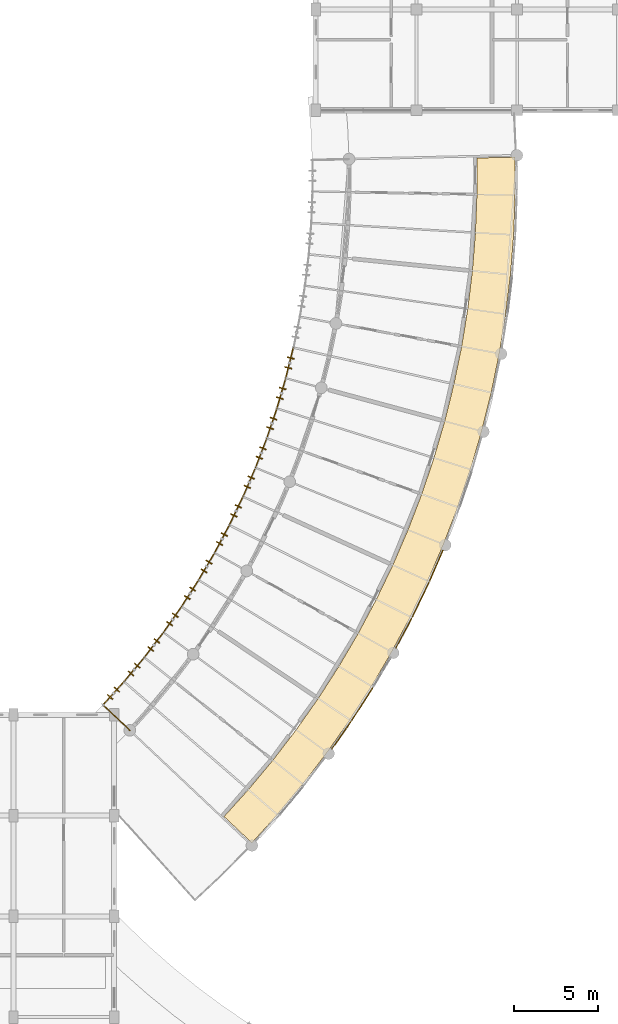
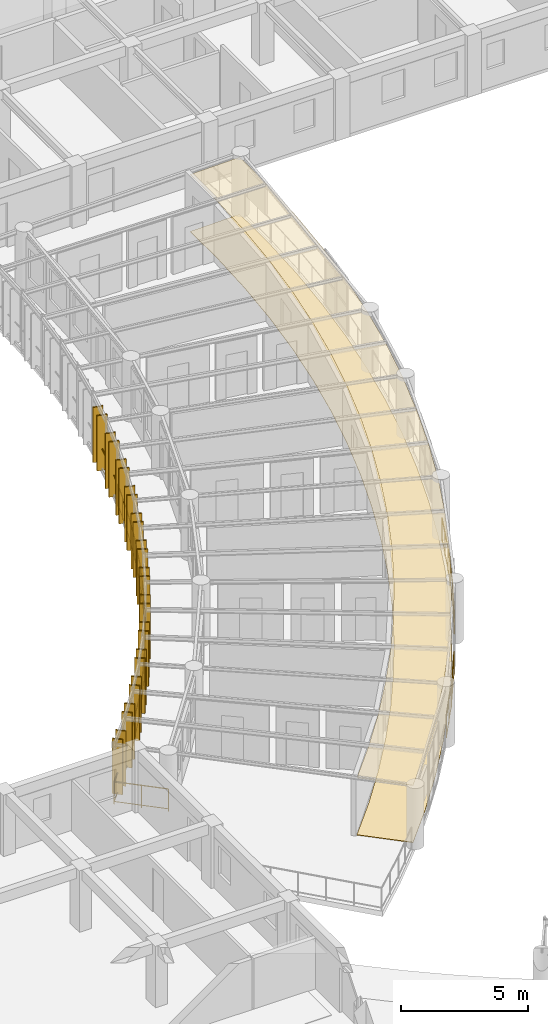
# One storey, part 90 of 100: 26 shading devices, 19 railings, 2 coverings.
"""IFC4 building model written with IfcOpenShell, lengths in metres."""

from ifc_helpers import new_model, si_unit, direction, frame, origin, origin_2d, place, context, subcontext, project, spatial, polyline, rectangle, circle, outline, extrude, material, layer, layer_set, type_object, element, save


model = new_model("IFC4")

# Units and contexts
model_context = context("Model", 3, precision=1e-05, world=origin(), true_north=direction((0.0, 1.0)))
body_context = subcontext(model_context, "Body", "Model", "MODEL_VIEW")
ifc_project = project(units=[si_unit("LENGTHUNIT", "METRE"), si_unit("AREAUNIT", "SQUARE_METRE"), si_unit("VOLUMEUNIT", "CUBIC_METRE"), si_unit("PLANEANGLEUNIT", "RADIAN"), si_unit("MASSUNIT", "GRAM", prefix="KILO"), si_unit("POWERUNIT", "WATT"), si_unit("THERMODYNAMICTEMPERATUREUNIT", "KELVIN")], contexts=[model_context])

# Site, building, storey
site_placement = place(None, origin())
site = spatial("IfcSite", under=ifc_project, at=site_placement, CompositionType="ELEMENT")
building_placement = place(site_placement, origin())
building = spatial("IfcBuilding", under=site, at=building_placement, Name="Ruvembo Vaulted Housing Court", CompositionType="ELEMENT")
storey_placement = place(building_placement, frame((0.0, 0.0, 10.89990234375)))
storey = spatial("IfcBuildingStorey", under=building, at=storey_placement, Name="L03", CompositionType="ELEMENT", Elevation=10.89990234375)

# Coverings
ifc_material_1 = material(Name="Perforated Mineral-Fibre Acoustic Tile", Category="gypsum")
ifc_layer_1 = layer(ifc_material_1, 0.02001953125, Name="Perforated Mineral-Fibre Acoustic Tile")
ifc_layer_set_1 = layer_set([ifc_layer_1], Name="Perforated Mineral-Fibre Acoustic Tile")
covering_type_1 = type_object("IfcCoveringType", Name="COV-CEIL-ACOUST", PredefinedType="CEILING", material=ifc_layer_set_1)
covering_1_placement = place(storey_placement, frame((0.0, 0.0, 2.75)))
element("IfcCovering", 1, at=covering_1_placement, inside=storey, type_object=covering_type_1, Name="Scoop SC1 L03 Shaded Access Gallery Ceiling", PredefinedType="CEILING", context=body_context, shape_type="SweptSolid", body=[
    extrude(outline(polyline([(44.201416015625, 34.37646484375), (45.718994140625, 36.053955078125), (47.23681640625, 37.876708984375), (48.6787109375, 39.76025390625), (50.0419921875, 41.701171875), (51.324951171875, 43.6962890625), (52.52490234375, 45.742431640625), (53.64013671875, 47.8359375), (54.66845703125, 49.973388671875), (55.608642578125, 52.151123046875), (56.45849609375, 54.36572265625), (57.21728515625, 56.613037109375), (57.88330078125, 58.8896484375), (58.455322265625, 61.191650390625), (58.9326171875, 63.51513671875), (59.314208984375, 65.856201171875), (59.599853515625, 68.2109375), (59.78857421875, 70.575439453125), (59.88037109375, 72.94580078125), (59.875244140625, 75.207763671875), (57.595703125, 75.156005859375), (57.600830078125, 72.989501953125), (57.6005859375, 72.985107421875), (57.5126953125, 70.712646484375), (57.512451171875, 70.7080078125), (57.33154296875, 68.441162109375), (57.3310546875, 68.436767578125), (57.057373046875, 66.17919921875), (57.056640625, 66.1748046875), (56.690673828125, 63.930419921875), (56.68994140625, 63.926025390625), (56.232421875, 61.698486328125), (56.231201171875, 61.694091796875), (55.682861328125, 59.487060546875), (55.681640625, 59.482666015625), (55.043212890625, 57.300048828125), (55.041748046875, 57.2958984375), (54.314453125, 55.14111328125), (54.31298828125, 55.136962890625), (53.498046875, 53.013916015625), (53.496337890625, 53.009521484375), (52.59521484375, 50.921875), (52.59326171875, 50.917724609375), (51.607177734375, 48.868408203125), (51.605224609375, 48.864501953125), (50.535888671875, 46.857421875), (50.53369140625, 46.853515625), (49.38330078125, 44.891845703125), (49.381103515625, 44.887939453125), (48.151123046875, 42.97509765625), (48.148681640625, 42.971435546875), (46.841552734375, 41.110595703125), (46.8388671875, 41.10693359375), (45.456298828125, 39.30126953125), (45.45361328125, 39.297607421875), (43.99853515625, 37.550048828125), (43.99560546875, 37.546630859375), (42.54248046875, 35.940185546875), (44.201416015625, 34.37646484375)])), origin(), (0.0, 0.0, 1.0), 0.02001953125),
])
ifc_material_2 = material(Name="Polished Cement-Aggregate Terrazzo", Category="stone")
ifc_layer_2 = layer(ifc_material_2, 0.02197265625, Name="Polished Cement-Aggregate Terrazzo")
ifc_layer_set_2 = layer_set([ifc_layer_2], Name="Polished Cement-Aggregate Terrazzo")
covering_type_2 = type_object("IfcCoveringType", Name="COV-FLR-CERAMIC", PredefinedType="FLOORING", material=ifc_layer_set_2)
covering_2_placement = place(storey_placement, origin())
element("IfcCovering", 2, at=covering_2_placement, inside=storey, type_object=covering_type_2, Name="Scoop SC1 L03 Shaded Access Gallery Flooring", PredefinedType="FLOORING", context=body_context, shape_type="SweptSolid", body=[
    extrude(outline(polyline([(44.201416015625, 34.37646484375), (45.718994140625, 36.053955078125), (47.23681640625, 37.876708984375), (48.6787109375, 39.76025390625), (50.0419921875, 41.701171875), (51.324951171875, 43.6962890625), (52.52490234375, 45.742431640625), (53.64013671875, 47.8359375), (54.66845703125, 49.973388671875), (55.608642578125, 52.151123046875), (56.45849609375, 54.36572265625), (57.21728515625, 56.613037109375), (57.88330078125, 58.8896484375), (58.455322265625, 61.191650390625), (58.9326171875, 63.51513671875), (59.314208984375, 65.856201171875), (59.599853515625, 68.2109375), (59.78857421875, 70.575439453125), (59.88037109375, 72.94580078125), (59.875244140625, 75.207763671875), (57.595703125, 75.156005859375), (57.600830078125, 72.989501953125), (57.6005859375, 72.985107421875), (57.5126953125, 70.712646484375), (57.512451171875, 70.7080078125), (57.33154296875, 68.441162109375), (57.3310546875, 68.436767578125), (57.057373046875, 66.17919921875), (57.056640625, 66.1748046875), (56.690673828125, 63.930419921875), (56.68994140625, 63.926025390625), (56.232421875, 61.698486328125), (56.231201171875, 61.694091796875), (55.682861328125, 59.487060546875), (55.681640625, 59.482666015625), (55.043212890625, 57.300048828125), (55.041748046875, 57.2958984375), (54.314453125, 55.14111328125), (54.31298828125, 55.136962890625), (53.498046875, 53.013916015625), (53.496337890625, 53.009521484375), (52.59521484375, 50.921875), (52.59326171875, 50.917724609375), (51.607177734375, 48.868408203125), (51.605224609375, 48.864501953125), (50.535888671875, 46.857421875), (50.53369140625, 46.853515625), (49.38330078125, 44.891845703125), (49.381103515625, 44.887939453125), (48.151123046875, 42.97509765625), (48.148681640625, 42.971435546875), (46.841552734375, 41.110595703125), (46.8388671875, 41.10693359375), (45.456298828125, 39.30126953125), (45.45361328125, 39.297607421875), (43.99853515625, 37.550048828125), (43.99560546875, 37.546630859375), (42.54248046875, 35.940185546875), (44.201416015625, 34.37646484375)])), origin(), (0.0, 0.0, 1.0), 0.022216796875),
])

# Railings
ifc_material_3 = material(Name="Galvanised Painted Steel and Laminated Glass", Category="steel")
ifc_layer_3 = layer(ifc_material_3, 0.070068359375, Name="Galvanised Painted Steel and Laminated Glass")
ifc_layer_set_3 = layer_set([ifc_layer_3], Name="Galvanised Painted Steel and Laminated Glass")
railing_type_1 = type_object("IfcRailingType", Name="RL-BALUST-1120", PredefinedType="BALUSTRADE", material=ifc_layer_set_3)
railing_1_placement = place(storey_placement, frame((48.968505859375, 39.981689453125, 0.0)))
element("IfcRailing", 3, at=railing_1_placement, inside=storey, type_object=railing_type_1, Name="L03 Perimeter Guard RL-EXT-L03-0111", PredefinedType="BALUSTRADE", context=body_context, shape_type="SweptSolid", body=[
    extrude(circle(Radius=0.02392578125, at=origin_2d()), frame((0.0, 0.0, 1.09619140625), z_axis=(0.574804697317, 0.818290632931, 0.0), x_axis=(-0.818290632931, 0.574804697317, 0.0)), (0.0, 0.0, 1.0), 1.976318359375),
    extrude(circle(Radius=0.01806640625, at=origin_2d()), frame((0.0, 0.0, 0.1201171875), z_axis=(0.574804697317, 0.818290632931, 0.0), x_axis=(-0.818290632931, 0.574804697317, 0.0)), (0.0, 0.0, 1.0), 1.976318359375),
    extrude(circle(Radius=0.02099609375, at=origin_2d()), origin(), (0.0, 0.0, 1.0), 1.072021484375),
    extrude(circle(Radius=0.02099609375, at=origin_2d()), frame((0.56787109375, 0.80859375, 0.0)), (0.0, 0.0, 1.0), 1.072021484375),
    extrude(circle(Radius=0.02099609375, at=origin_2d()), frame((1.135986328125, 1.6171875, 0.0)), (0.0, 0.0, 1.0), 1.072021484375),
])
railing_2_placement = place(storey_placement, frame((50.160400390625, 41.681884765625, 0.0)))
element("IfcRailing", 4, at=railing_2_placement, inside=storey, type_object=railing_type_1, Name="L03 Perimeter Guard RL-EXT-L03-0112", PredefinedType="BALUSTRADE", context=body_context, shape_type="SweptSolid", body=[
    extrude(circle(Radius=0.02392578125, at=origin_2d()), frame((0.0, 0.0, 1.09619140625), z_axis=(0.540838894016, 0.8411262038, 0.0), x_axis=(-0.8411262038, 0.540838894016, 0.0)), (0.0, 0.0, 1.0), 2.2763671875),
    extrude(circle(Radius=0.01806640625, at=origin_2d()), frame((0.0, 0.0, 0.1201171875), z_axis=(0.540838894016, 0.8411262038, 0.0), x_axis=(-0.8411262038, 0.540838894016, 0.0)), (0.0, 0.0, 1.0), 2.2763671875),
    extrude(circle(Radius=0.02099609375, at=origin_2d()), origin(), (0.0, 0.0, 1.0), 1.072021484375),
    extrude(circle(Radius=0.02099609375, at=origin_2d()), frame((0.61572265625, 0.95751953125, 0.0)), (0.0, 0.0, 1.0), 1.072021484375),
    extrude(circle(Radius=0.02099609375, at=origin_2d()), frame((1.231201171875, 1.914794921875, 0.0)), (0.0, 0.0, 1.0), 1.072021484375),
])
railing_3_placement = place(storey_placement, frame((52.785400390625, 45.997802734375, 0.0)))
element("IfcRailing", 5, at=railing_3_placement, inside=storey, type_object=railing_type_1, Name="L03 Perimeter Guard RL-EXT-L03-0113", PredefinedType="BALUSTRADE", context=body_context, shape_type="SweptSolid", body=[
    extrude(circle(Radius=0.02392578125, at=origin_2d()), frame((0.0, 0.0, 1.09619140625), z_axis=(0.470139378087, 0.882592185084, 0.0), x_axis=(-0.882592185084, 0.470139378087, 0.0)), (0.0, 0.0, 1.0), 1.976318359375),
    extrude(circle(Radius=0.01806640625, at=origin_2d()), frame((0.0, 0.0, 0.1201171875), z_axis=(0.470139378087, 0.882592185084, 0.0), x_axis=(-0.882592185084, 0.470139378087, 0.0)), (0.0, 0.0, 1.0), 1.976318359375),
    extrude(circle(Radius=0.02099609375, at=origin_2d()), origin(), (0.0, 0.0, 1.0), 1.072021484375),
    extrude(circle(Radius=0.02099609375, at=origin_2d()), frame((0.464599609375, 0.8720703125, 0.0)), (0.0, 0.0, 1.0), 1.072021484375),
    extrude(circle(Radius=0.02099609375, at=origin_2d()), frame((0.92919921875, 1.744384765625, 0.0)), (0.0, 0.0, 1.0), 1.072021484375),
])
railing_4_placement = place(storey_placement, frame((53.760009765625, 47.831298828125, 0.0)))
element("IfcRailing", 6, at=railing_4_placement, inside=storey, type_object=railing_type_1, Name="L03 Perimeter Guard RL-EXT-L03-0114", PredefinedType="BALUSTRADE", context=body_context, shape_type="SweptSolid", body=[
    extrude(circle(Radius=0.02392578125, at=origin_2d()), frame((0.0, 0.0, 1.09619140625), z_axis=(0.433477019687, 0.90116462059, 0.0), x_axis=(-0.90116462059, 0.433477019687, 0.0)), (0.0, 0.0, 1.0), 2.276611328125),
    extrude(circle(Radius=0.01806640625, at=origin_2d()), frame((0.0, 0.0, 0.1201171875), z_axis=(0.433477019687, 0.90116462059, 0.0), x_axis=(-0.90116462059, 0.433477019687, 0.0)), (0.0, 0.0, 1.0), 2.276611328125),
    extrude(circle(Radius=0.02099609375, at=origin_2d()), origin(), (0.0, 0.0, 1.0), 1.072021484375),
    extrude(circle(Radius=0.02099609375, at=origin_2d()), frame((0.493408203125, 1.02587890625, 0.0)), (0.0, 0.0, 1.0), 1.072021484375),
    extrude(circle(Radius=0.02099609375, at=origin_2d()), frame((0.98681640625, 2.051513671875, 0.0)), (0.0, 0.0, 1.0), 1.072021484375),
])
railing_5_placement = place(storey_placement, frame((54.788330078125, 49.9736328125, 0.0)))
element("IfcRailing", 7, at=railing_5_placement, inside=storey, type_object=railing_type_1, Name="L03 Perimeter Guard RL-EXT-L03-0115", PredefinedType="BALUSTRADE", context=body_context, shape_type="SweptSolid", body=[
    extrude(circle(Radius=0.02392578125, at=origin_2d()), frame((0.0, 0.0, 1.09619140625), z_axis=(0.39636266904, 0.91809402274, 0.0), x_axis=(-0.91809402274, 0.39636266904, 0.0)), (0.0, 0.0, 1.0), 1.9765625),
    extrude(circle(Radius=0.01806640625, at=origin_2d()), frame((0.0, 0.0, 0.1201171875), z_axis=(0.39636266904, 0.91809402274, 0.0), x_axis=(-0.91809402274, 0.39636266904, 0.0)), (0.0, 0.0, 1.0), 1.9765625),
    extrude(circle(Radius=0.02099609375, at=origin_2d()), origin(), (0.0, 0.0, 1.0), 1.072021484375),
    extrude(circle(Radius=0.02099609375, at=origin_2d()), frame((0.3916015625, 0.9072265625, 0.0)), (0.0, 0.0, 1.0), 1.072021484375),
    extrude(circle(Radius=0.02099609375, at=origin_2d()), frame((0.783447265625, 1.814697265625, 0.0)), (0.0, 0.0, 1.0), 1.072021484375),
])
ifc_material_4 = material(Name="Galvanised Painted Steel S275", Category="steel")
ifc_layer_4 = layer(ifc_material_4, 0.06005859375, Name="Galvanised Painted Steel S275")
ifc_layer_set_4 = layer_set([ifc_layer_4], Name="Galvanised Painted Steel S275")
railing_type_2 = type_object("IfcRailingType", Name="RL-GUARD-1100", PredefinedType="GUARDRAIL", material=ifc_layer_set_4)
railing_6_placement = place(storey_placement, frame((36.9306640625, 41.078125, 0.0)))
element("IfcRailing", 8, at=railing_6_placement, inside=storey, type_object=railing_type_2, Name="L03 Perimeter Guard RL-EXT-L03-0088", PredefinedType="GUARDRAIL", context=body_context, shape_type="SweptSolid", body=[
    extrude(circle(Radius=0.02392578125, at=origin_2d()), frame((0.0, 0.0, 1.076171875), z_axis=(-0.727769798271, 0.685821493338, 0.0), x_axis=(-0.685821493338, -0.727769798271, 0.0)), (0.0, 0.0, 1.0), 2.199951171875),
    extrude(circle(Radius=0.01806640625, at=origin_2d()), frame((0.0, 0.0, 0.1201171875), z_axis=(-0.727769798271, 0.685821493338, 0.0), x_axis=(-0.685821493338, -0.727769798271, 0.0)), (0.0, 0.0, 1.0), 2.199951171875),
    extrude(circle(Radius=0.02099609375, at=origin_2d()), origin(), (0.0, 0.0, 1.0), 1.052001953125),
    extrude(circle(Radius=0.02099609375, at=origin_2d()), frame((-0.800537109375, 0.75439453125, 0.0)), (0.0, 0.0, 1.0), 1.052001953125),
    extrude(circle(Radius=0.02099609375, at=origin_2d()), frame((-1.60107421875, 1.5087890625, 0.0)), (0.0, 0.0, 1.0), 1.052001953125),
])
railing_7_placement = place(storey_placement, frame((35.32958984375, 42.5869140625, 0.0)))
element("IfcRailing", 9, at=railing_7_placement, inside=storey, type_object=railing_type_2, Name="L03 Perimeter Guard RL-EXT-L03-0089", PredefinedType="GUARDRAIL", context=body_context, shape_type="SweptSolid", body=[
    extrude(circle(Radius=0.02392578125, at=origin_2d()), frame((0.0, 0.0, 1.076171875), z_axis=(0.670766832997, 0.741668292265, 0.0), x_axis=(-0.741668292265, 0.670766832997, 0.0)), (0.0, 0.0, 1.0), 1.876708984375),
    extrude(circle(Radius=0.01806640625, at=origin_2d()), frame((0.0, 0.0, 0.1201171875), z_axis=(0.670766832997, 0.741668292265, 0.0), x_axis=(-0.741668292265, 0.670766832997, 0.0)), (0.0, 0.0, 1.0), 1.876708984375),
    extrude(circle(Radius=0.02099609375, at=origin_2d()), origin(), (0.0, 0.0, 1.0), 1.052001953125),
    extrude(circle(Radius=0.02099609375, at=origin_2d()), frame((0.62939453125, 0.69580078125, 0.0)), (0.0, 0.0, 1.0), 1.052001953125),
    extrude(circle(Radius=0.02099609375, at=origin_2d()), frame((1.2587890625, 1.391845703125, 0.0)), (0.0, 0.0, 1.0), 1.052001953125),
])
railing_8_placement = place(storey_placement, frame((36.58837890625, 43.978759765625, 0.0)))
element("IfcRailing", 10, at=railing_8_placement, inside=storey, type_object=railing_type_2, Name="L03 Perimeter Guard RL-EXT-L03-0090", PredefinedType="GUARDRAIL", context=body_context, shape_type="SweptSolid", body=[
    extrude(circle(Radius=0.02392578125, at=origin_2d()), frame((0.0, 0.0, 1.076171875), z_axis=(0.639915648776, 0.76844515904, 0.0), x_axis=(-0.76844515904, 0.639915648776, 0.0)), (0.0, 0.0, 1.0), 1.876708984375),
    extrude(circle(Radius=0.01806640625, at=origin_2d()), frame((0.0, 0.0, 0.1201171875), z_axis=(0.639915648776, 0.76844515904, 0.0), x_axis=(-0.76844515904, 0.639915648776, 0.0)), (0.0, 0.0, 1.0), 1.876708984375),
    extrude(circle(Radius=0.02099609375, at=origin_2d()), origin(), (0.0, 0.0, 1.0), 1.052001953125),
    extrude(circle(Radius=0.02099609375, at=origin_2d()), frame((0.6005859375, 0.72119140625, 0.0)), (0.0, 0.0, 1.0), 1.052001953125),
    extrude(circle(Radius=0.02099609375, at=origin_2d()), frame((1.200927734375, 1.442138671875, 0.0)), (0.0, 0.0, 1.0), 1.052001953125),
])
railing_9_placement = place(storey_placement, frame((37.789306640625, 45.4208984375, 0.0)))
element("IfcRailing", 11, at=railing_9_placement, inside=storey, type_object=railing_type_2, Name="L03 Perimeter Guard RL-EXT-L03-0091", PredefinedType="GUARDRAIL", context=body_context, shape_type="SweptSolid", body=[
    extrude(circle(Radius=0.02392578125, at=origin_2d()), frame((0.0, 0.0, 1.076171875), z_axis=(0.607860517304, 0.794043822155, 0.0), x_axis=(-0.794043822155, 0.607860517304, 0.0)), (0.0, 0.0, 1.0), 1.87646484375),
    extrude(circle(Radius=0.01806640625, at=origin_2d()), frame((0.0, 0.0, 0.1201171875), z_axis=(0.607860517304, 0.794043822155, 0.0), x_axis=(-0.794043822155, 0.607860517304, 0.0)), (0.0, 0.0, 1.0), 1.87646484375),
    extrude(circle(Radius=0.02099609375, at=origin_2d()), origin(), (0.0, 0.0, 1.0), 1.052001953125),
    extrude(circle(Radius=0.02099609375, at=origin_2d()), frame((0.5703125, 0.7451171875, 0.0)), (0.0, 0.0, 1.0), 1.052001953125),
    extrude(circle(Radius=0.02099609375, at=origin_2d()), frame((1.140625, 1.489990234375, 0.0)), (0.0, 0.0, 1.0), 1.052001953125),
])
railing_10_placement = place(storey_placement, frame((38.929931640625, 46.910888671875, 0.0)))
element("IfcRailing", 12, at=railing_10_placement, inside=storey, type_object=railing_type_2, Name="L03 Perimeter Guard RL-EXT-L03-0092", PredefinedType="GUARDRAIL", context=body_context, shape_type="SweptSolid", body=[
    extrude(circle(Radius=0.02392578125, at=origin_2d()), frame((0.0, 0.0, 1.076171875), z_axis=(0.574858427718, 0.81825288761, 0.0), x_axis=(-0.81825288761, 0.574858427718, 0.0)), (0.0, 0.0, 1.0), 1.876708984375),
    extrude(circle(Radius=0.01806640625, at=origin_2d()), frame((0.0, 0.0, 0.1201171875), z_axis=(0.574858427718, 0.81825288761, 0.0), x_axis=(-0.81825288761, 0.574858427718, 0.0)), (0.0, 0.0, 1.0), 1.876708984375),
    extrude(circle(Radius=0.02099609375, at=origin_2d()), origin(), (0.0, 0.0, 1.0), 1.052001953125),
    extrude(circle(Radius=0.02099609375, at=origin_2d()), frame((0.53955078125, 0.767822265625, 0.0)), (0.0, 0.0, 1.0), 1.052001953125),
    extrude(circle(Radius=0.02099609375, at=origin_2d()), frame((1.078857421875, 1.53564453125, 0.0)), (0.0, 0.0, 1.0), 1.052001953125),
])
railing_11_placement = place(storey_placement, frame((40.0087890625, 48.446533203125, 0.0)))
element("IfcRailing", 13, at=railing_11_placement, inside=storey, type_object=railing_type_2, Name="L03 Perimeter Guard RL-EXT-L03-0093", PredefinedType="GUARDRAIL", context=body_context, shape_type="SweptSolid", body=[
    extrude(circle(Radius=0.02392578125, at=origin_2d()), frame((0.0, 0.0, 1.076171875), z_axis=(0.540783890821, 0.841161567969, 0.0), x_axis=(-0.841161567969, 0.540783890821, 0.0)), (0.0, 0.0, 1.0), 1.876708984375),
    extrude(circle(Radius=0.01806640625, at=origin_2d()), frame((0.0, 0.0, 0.1201171875), z_axis=(0.540783890821, 0.841161567969, 0.0), x_axis=(-0.841161567969, 0.540783890821, 0.0)), (0.0, 0.0, 1.0), 1.876708984375),
    extrude(circle(Radius=0.02099609375, at=origin_2d()), origin(), (0.0, 0.0, 1.0), 1.052001953125),
    extrude(circle(Radius=0.02099609375, at=origin_2d()), frame((0.50732421875, 0.789306640625, 0.0)), (0.0, 0.0, 1.0), 1.052001953125),
    extrude(circle(Radius=0.02099609375, at=origin_2d()), frame((1.014892578125, 1.57861328125, 0.0)), (0.0, 0.0, 1.0), 1.052001953125),
])
railing_12_placement = place(storey_placement, frame((41.023681640625, 50.025146484375, 0.0)))
element("IfcRailing", 14, at=railing_12_placement, inside=storey, type_object=railing_type_2, Name="L03 Perimeter Guard RL-EXT-L03-0094", PredefinedType="GUARDRAIL", context=body_context, shape_type="SweptSolid", body=[
    extrude(circle(Radius=0.02392578125, at=origin_2d()), frame((0.0, 0.0, 1.076171875), z_axis=(0.505859733288, 0.862615748893, 0.0), x_axis=(-0.862615748893, 0.505859733288, 0.0)), (0.0, 0.0, 1.0), 1.87646484375),
    extrude(circle(Radius=0.01806640625, at=origin_2d()), frame((0.0, 0.0, 0.1201171875), z_axis=(0.505859733288, 0.862615748893, 0.0), x_axis=(-0.862615748893, 0.505859733288, 0.0)), (0.0, 0.0, 1.0), 1.87646484375),
    extrude(circle(Radius=0.02099609375, at=origin_2d()), origin(), (0.0, 0.0, 1.0), 1.052001953125),
    extrude(circle(Radius=0.02099609375, at=origin_2d()), frame((0.474609375, 0.809326171875, 0.0)), (0.0, 0.0, 1.0), 1.052001953125),
    extrude(circle(Radius=0.02099609375, at=origin_2d()), frame((0.94921875, 1.61865234375, 0.0)), (0.0, 0.0, 1.0), 1.052001953125),
])
railing_13_placement = place(storey_placement, frame((41.972900390625, 51.643798828125, 0.0)))
element("IfcRailing", 15, at=railing_13_placement, inside=storey, type_object=railing_type_2, Name="L03 Perimeter Guard RL-EXT-L03-0095", PredefinedType="GUARDRAIL", context=body_context, shape_type="SweptSolid", body=[
    extrude(circle(Radius=0.02392578125, at=origin_2d()), frame((0.0, 0.0, 1.076171875), z_axis=(0.470115552325, 0.882604876183, 0.0), x_axis=(-0.882604876183, 0.470115552325, 0.0)), (0.0, 0.0, 1.0), 1.876708984375),
    extrude(circle(Radius=0.01806640625, at=origin_2d()), frame((0.0, 0.0, 0.1201171875), z_axis=(0.470115552325, 0.882604876183, 0.0), x_axis=(-0.882604876183, 0.470115552325, 0.0)), (0.0, 0.0, 1.0), 1.876708984375),
    extrude(circle(Radius=0.02099609375, at=origin_2d()), origin(), (0.0, 0.0, 1.0), 1.052001953125),
    extrude(circle(Radius=0.02099609375, at=origin_2d()), frame((0.441162109375, 0.828125, 0.0)), (0.0, 0.0, 1.0), 1.052001953125),
    extrude(circle(Radius=0.02099609375, at=origin_2d()), frame((0.88232421875, 1.656494140625, 0.0)), (0.0, 0.0, 1.0), 1.052001953125),
])
railing_14_placement = place(storey_placement, frame((42.855224609375, 53.30029296875, 0.0)))
element("IfcRailing", 16, at=railing_14_placement, inside=storey, type_object=railing_type_2, Name="L03 Perimeter Guard RL-EXT-L03-0096", PredefinedType="GUARDRAIL", context=body_context, shape_type="SweptSolid", body=[
    extrude(circle(Radius=0.02392578125, at=origin_2d()), frame((0.0, 0.0, 1.076171875), z_axis=(0.433631756601, 0.901090172883, 0.0), x_axis=(-0.901090172883, 0.433631756601, 0.0)), (0.0, 0.0, 1.0), 1.87646484375),
    extrude(circle(Radius=0.01806640625, at=origin_2d()), frame((0.0, 0.0, 0.1201171875), z_axis=(0.433631756601, 0.901090172883, 0.0), x_axis=(-0.901090172883, 0.433631756601, 0.0)), (0.0, 0.0, 1.0), 1.87646484375),
    extrude(circle(Radius=0.02099609375, at=origin_2d()), origin(), (0.0, 0.0, 1.0), 1.052001953125),
    extrude(circle(Radius=0.02099609375, at=origin_2d()), frame((0.40673828125, 0.845458984375, 0.0)), (0.0, 0.0, 1.0), 1.052001953125),
    extrude(circle(Radius=0.02099609375, at=origin_2d()), frame((0.813720703125, 1.69091796875, 0.0)), (0.0, 0.0, 1.0), 1.052001953125),
])
railing_15_placement = place(storey_placement, frame((43.6689453125, 54.9912109375, 0.0)))
element("IfcRailing", 17, at=railing_15_placement, inside=storey, type_object=railing_type_2, Name="L03 Perimeter Guard RL-EXT-L03-0097", PredefinedType="GUARDRAIL", context=body_context, shape_type="SweptSolid", body=[
    extrude(circle(Radius=0.02392578125, at=origin_2d()), frame((0.0, 0.0, 1.076171875), z_axis=(0.396288974503, 0.918125834887, 0.0), x_axis=(-0.918125834887, 0.396288974503, 0.0)), (0.0, 0.0, 1.0), 1.87646484375),
    extrude(circle(Radius=0.01806640625, at=origin_2d()), frame((0.0, 0.0, 0.1201171875), z_axis=(0.396288974503, 0.918125834887, 0.0), x_axis=(-0.918125834887, 0.396288974503, 0.0)), (0.0, 0.0, 1.0), 1.87646484375),
    extrude(circle(Radius=0.02099609375, at=origin_2d()), origin(), (0.0, 0.0, 1.0), 1.052001953125),
    extrude(circle(Radius=0.02099609375, at=origin_2d()), frame((0.371826171875, 0.861328125, 0.0)), (0.0, 0.0, 1.0), 1.052001953125),
    extrude(circle(Radius=0.02099609375, at=origin_2d()), frame((0.74365234375, 1.722900390625, 0.0)), (0.0, 0.0, 1.0), 1.052001953125),
])
railing_16_placement = place(storey_placement, frame((44.41259765625, 56.714111328125, 0.0)))
element("IfcRailing", 18, at=railing_16_placement, inside=storey, type_object=railing_type_2, Name="L03 Perimeter Guard RL-EXT-L03-0098", PredefinedType="GUARDRAIL", context=body_context, shape_type="SweptSolid", body=[
    extrude(circle(Radius=0.02392578125, at=origin_2d()), frame((0.0, 0.0, 1.076171875), z_axis=(0.358368836189, 0.933580086146, 0.0), x_axis=(-0.933580086146, 0.358368836189, 0.0)), (0.0, 0.0, 1.0), 1.876953125),
    extrude(circle(Radius=0.01806640625, at=origin_2d()), frame((0.0, 0.0, 0.1201171875), z_axis=(0.358368836189, 0.933580086146, 0.0), x_axis=(-0.933580086146, 0.358368836189, 0.0)), (0.0, 0.0, 1.0), 1.876953125),
    extrude(circle(Radius=0.02099609375, at=origin_2d()), origin(), (0.0, 0.0, 1.0), 1.052001953125),
    extrude(circle(Radius=0.02099609375, at=origin_2d()), frame((0.33642578125, 0.8759765625, 0.0)), (0.0, 0.0, 1.0), 1.052001953125),
    extrude(circle(Radius=0.02099609375, at=origin_2d()), frame((0.672607421875, 1.752197265625, 0.0)), (0.0, 0.0, 1.0), 1.052001953125),
])
railing_17_placement = place(storey_placement, frame((45.085205078125, 58.46630859375, 0.0)))
element("IfcRailing", 19, at=railing_17_placement, inside=storey, type_object=railing_type_2, Name="L03 Perimeter Guard RL-EXT-L03-0099", PredefinedType="GUARDRAIL", context=body_context, shape_type="SweptSolid", body=[
    extrude(circle(Radius=0.02392578125, at=origin_2d()), frame((0.0, 0.0, 1.076171875), z_axis=(0.319933403304, 0.947440033696, 0.0), x_axis=(-0.947440033696, 0.319933403304, 0.0)), (0.0, 0.0, 1.0), 1.87646484375),
    extrude(circle(Radius=0.01806640625, at=origin_2d()), frame((0.0, 0.0, 0.1201171875), z_axis=(0.319933403304, 0.947440033696, 0.0), x_axis=(-0.947440033696, 0.319933403304, 0.0)), (0.0, 0.0, 1.0), 1.87646484375),
    extrude(circle(Radius=0.02099609375, at=origin_2d()), origin(), (0.0, 0.0, 1.0), 1.052001953125),
    extrude(circle(Radius=0.02099609375, at=origin_2d()), frame((0.30029296875, 0.888916015625, 0.0)), (0.0, 0.0, 1.0), 1.052001953125),
    extrude(circle(Radius=0.02099609375, at=origin_2d()), frame((0.600341796875, 1.77783203125, 0.0)), (0.0, 0.0, 1.0), 1.052001953125),
])
railing_18_placement = place(storey_placement, frame((45.685546875, 60.244140625, 0.0)))
element("IfcRailing", 20, at=railing_18_placement, inside=storey, type_object=railing_type_2, Name="L03 Perimeter Guard RL-EXT-L03-0100", PredefinedType="GUARDRAIL", context=body_context, shape_type="SweptSolid", body=[
    extrude(circle(Radius=0.02392578125, at=origin_2d()), frame((0.0, 0.0, 1.076171875), z_axis=(0.280729242843, 0.959787003565, 0.0), x_axis=(-0.959787003565, 0.280729242843, 0.0)), (0.0, 0.0, 1.0), 1.876708984375),
    extrude(circle(Radius=0.01806640625, at=origin_2d()), frame((0.0, 0.0, 0.1201171875), z_axis=(0.280729242843, 0.959787003565, 0.0), x_axis=(-0.959787003565, 0.280729242843, 0.0)), (0.0, 0.0, 1.0), 1.876708984375),
    extrude(circle(Radius=0.02099609375, at=origin_2d()), origin(), (0.0, 0.0, 1.0), 1.052001953125),
    extrude(circle(Radius=0.02099609375, at=origin_2d()), frame((0.263427734375, 0.900634765625, 0.0)), (0.0, 0.0, 1.0), 1.052001953125),
    extrude(circle(Radius=0.02099609375, at=origin_2d()), frame((0.52685546875, 1.80126953125, 0.0)), (0.0, 0.0, 1.0), 1.052001953125),
])
railing_19_placement = place(storey_placement, frame((46.21240234375, 62.04541015625, 0.0)))
element("IfcRailing", 21, at=railing_19_placement, inside=storey, type_object=railing_type_2, Name="L03 Perimeter Guard RL-EXT-L03-0101", PredefinedType="GUARDRAIL", context=body_context, shape_type="SweptSolid", body=[
    extrude(circle(Radius=0.02392578125, at=origin_2d()), frame((0.0, 0.0, 1.076171875), z_axis=(0.241066038615, 0.970508714555, 0.0), x_axis=(-0.970508714555, 0.241066038615, 0.0)), (0.0, 0.0, 1.0), 1.876708984375),
    extrude(circle(Radius=0.01806640625, at=origin_2d()), frame((0.0, 0.0, 0.1201171875), z_axis=(0.241066038615, 0.970508714555, 0.0), x_axis=(-0.970508714555, 0.241066038615, 0.0)), (0.0, 0.0, 1.0), 1.876708984375),
    extrude(circle(Radius=0.02099609375, at=origin_2d()), origin(), (0.0, 0.0, 1.0), 1.052001953125),
    extrude(circle(Radius=0.02099609375, at=origin_2d()), frame((0.22607421875, 0.91064453125, 0.0)), (0.0, 0.0, 1.0), 1.052001953125),
    extrude(circle(Radius=0.02099609375, at=origin_2d()), frame((0.452392578125, 1.8212890625, 0.0)), (0.0, 0.0, 1.0), 1.052001953125),
])

# Shading devices
ifc_material_5 = material(Name="Kiln-Fired Terracotta Extrusion", Category="masonry")
shading_device_type = type_object("IfcShadingDeviceType", Name="SHD-FIN-420", PredefinedType="USERDEFINED", material=ifc_material_5)
for number, where, z_axis, x_axis, name in (
    (22, (35.7578125, 43.060302734375, 0.05029296875), (0.0, 0.0, 1.0), (0.741601288413, -0.670840911859, 0.0), "Terracotta Brise-Soleil Fin #77"),
    (23, (36.160400390625, 43.50537109375, 0.05029296875), (0.0, 0.0, 1.0), (0.741601288413, -0.670840911859, 0.0), "Terracotta Brise-Soleil Fin #78"),
    (24, (36.996826171875, 44.46923828125, 0.05029296875), (0.0, 0.0, 1.0), (0.768495749762, -0.63985489183, 0.0), "Terracotta Brise-Soleil Fin #79"),
    (25, (37.380859375, 44.930419921875, 0.05029296875), (0.0, 0.0, 1.0), (0.768495749762, -0.63985489183, 0.0), "Terracotta Brise-Soleil Fin #80"),
    (26, (38.17724609375, 45.927734375, 0.05029296875), (0.0, 0.0, 1.0), (0.794043447551, -0.607861006646, 0.0), "Terracotta Brise-Soleil Fin #81"),
    (27, (38.5419921875, 46.404296875, 0.05029296875), (0.0, 0.0, 1.0), (0.794043447551, -0.607861006646, 0.0), "Terracotta Brise-Soleil Fin #82"),
    (28, (39.296875, 47.433349609375, 0.05029296875), (0.0, 0.0, 1.0), (0.818280160918, -0.574819604962, 0.0), "Terracotta Brise-Soleil Fin #83"),
    (29, (39.641845703125, 47.92431640625, 0.05029296875), (0.0, 0.0, 1.0), (0.818280160918, -0.574819604962, 0.0), "Terracotta Brise-Soleil Fin #84"),
    (30, (40.35400390625, 48.9833984375, 0.05029296875), (0.0, 0.0, 1.0), (0.841114539051, -0.540857034896, 0.0), "Terracotta Brise-Soleil Fin #85"),
    (31, (40.678466796875, 49.48828125, 0.05029296875), (0.0, 0.0, 1.0), (0.841114539051, -0.540857034896, 0.0), "Terracotta Brise-Soleil Fin #86"),
    (32, (41.3466796875, 50.57568359375, 0.05029296875), (0.0, 0.0, 1.0), (0.862619633753, -0.505853108583, 0.0), "Terracotta Brise-Soleil Fin #87"),
    (33, (41.650146484375, 51.09326171875, 0.05029296875), (0.0, 0.0, 1.0), (0.862619633753, -0.505853108583, 0.0), "Terracotta Brise-Soleil Fin #88"),
    (34, (42.273193359375, 52.207275390625, 0.05029296875), (0.0, 0.0, 1.0), (0.882586804261, -0.470149479362, 0.0), "Terracotta Brise-Soleil Fin #89"),
    (35, (42.55517578125, 52.73681640625, 0.05029296875), (0.0, 0.0, 1.0), (0.882586804261, -0.470149479362, 0.0), "Terracotta Brise-Soleil Fin #90"),
    (36, (43.132080078125, 53.87548828125, 0.05029296875), (0.0, 0.0, 1.0), (0.901099726423, -0.433611903711, 0.0), "Terracotta Brise-Soleil Fin #91"),
    (37, (43.39208984375, 54.416015625, 0.05029296875), (0.0, 0.0, 1.0), (0.901099726423, -0.433611903711, 0.0), "Terracotta Brise-Soleil Fin #92"),
    (38, (43.922119140625, 55.577392578125, 0.05029296875), (0.0, 0.0, 1.0), (0.918121604514, -0.396298775325, 0.0), "Terracotta Brise-Soleil Fin #93"),
    (39, (44.15966796875, 56.128173828125, 0.05029296875), (0.0, 0.0, 1.0), (0.918121604514, -0.396298775325, 0.0), "Terracotta Brise-Soleil Fin #94"),
    (40, (44.6416015625, 57.31005859375, 0.05029296875), (0.0, 0.0, 1.0), (0.933567916527, -0.358400537432, 0.0), "Terracotta Brise-Soleil Fin #95"),
    (41, (44.8564453125, 57.870361328125, 0.05029296875), (0.0, 0.0, 1.0), (0.933567916527, -0.358400537432, 0.0), "Terracotta Brise-Soleil Fin #96"),
    (42, (45.289306640625, 59.071044921875, 0.05029296875), (0.0, 0.0, 1.0), (0.947472959386, -0.319835881714, 0.0), "Terracotta Brise-Soleil Fin #97"),
    (43, (45.4814453125, 59.639404296875, 0.05029296875), (0.0, 0.0, 1.0), (0.947472959386, -0.319835881714, 0.0), "Terracotta Brise-Soleil Fin #98"),
    (44, (45.86474609375, 60.85693359375, 0.05029296875), (0.0, 0.0, 1.0), (0.959790594985, -0.280716963824, 0.0), "Terracotta Brise-Soleil Fin #99"),
    (45, (46.033203125, 61.4326171875, 0.05029296875), (0.0, 0.0, 1.0), (0.959790594985, -0.280716963824, 0.0), "Terracotta Brise-Soleil Fin #100"),
    (46, (46.3662109375, 62.664794921875, 0.05029296875), (0.0, 0.0, 1.0), (0.970481222826, -0.241176690711, 0.0), "Terracotta Brise-Soleil Fin #101"),
    (47, (46.510986328125, 63.2470703125, 0.05029296875), (0.0, 0.0, 1.0), (0.970481222826, -0.241176690711, 0.0), "Terracotta Brise-Soleil Fin #102"),
):
    element("IfcShadingDevice", number, at=place(storey_placement, frame(where, z_axis=z_axis, x_axis=x_axis)), inside=storey, type_object=shading_device_type, Name=name, ObjectType="FIN", PredefinedType="USERDEFINED", context=body_context, shape_type="SweptSolid", body=[
        extrude(rectangle(XDim=0.419921875, YDim=0.06494140625, at=origin_2d()), origin(), (0.0, 0.0, 1.0), 2.653076171875),
    ])

save(model, "model.ifc")
